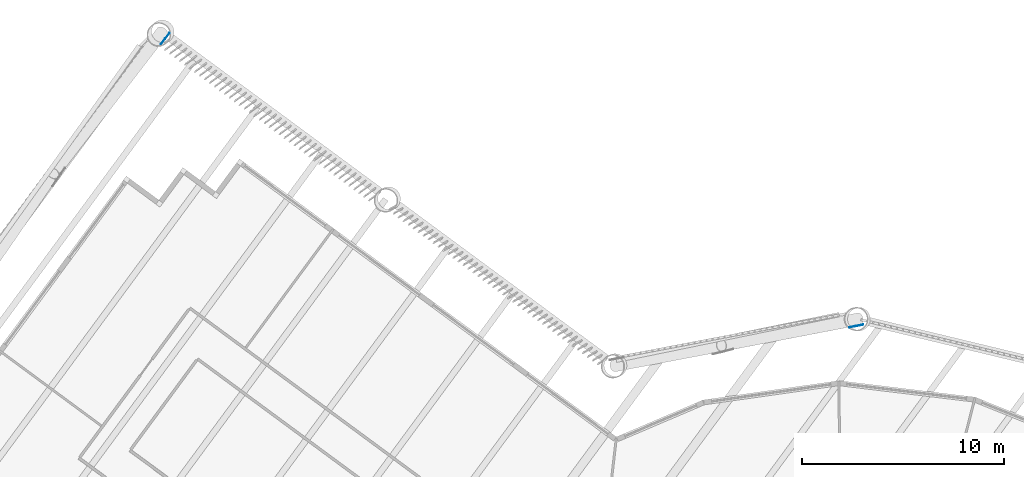
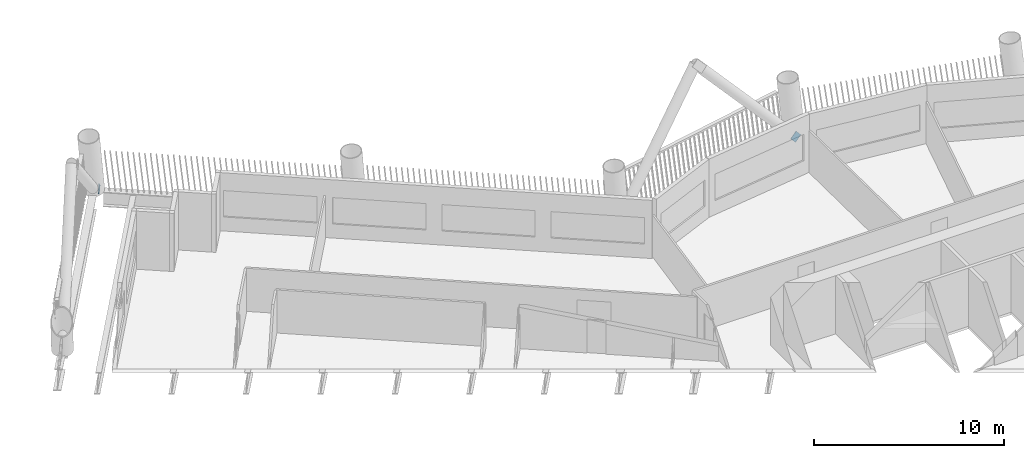
# One storey, part 13 of 23: 2 discrete accessories.
"""IFC4 building model written with IfcOpenShell, lengths in metres."""

from ifc_helpers import new_model, si_unit, direction, frame, origin, origin_2d, place, context, subcontext, project, spatial, rectangle, extrude, material, material_profile, profile_set, type_object, element, save


model = new_model("IFC4")

# Units and contexts
model_context = context("Model", 3, precision=1e-05, world=origin(), true_north=direction((0.0, 1.0)))
body_context = subcontext(model_context, "Body", "Model", "MODEL_VIEW")
ifc_project = project(units=[si_unit("LENGTHUNIT", "METRE"), si_unit("AREAUNIT", "SQUARE_METRE"), si_unit("VOLUMEUNIT", "CUBIC_METRE"), si_unit("PLANEANGLEUNIT", "RADIAN"), si_unit("MASSUNIT", "GRAM", prefix="KILO")], contexts=[model_context])

# Site, building, storey
site_placement = place(None, origin())
site = spatial("IfcSite", under=ifc_project, at=site_placement, CompositionType="ELEMENT")
building_placement = place(site_placement, origin())
building = spatial("IfcBuilding", under=site, at=building_placement, Name="Tarsis Ring Headquarters", CompositionType="ELEMENT")
storey_placement = place(building_placement, frame((0.0, 0.0, 124.0)))
storey = spatial("IfcBuildingStorey", under=building, at=storey_placement, Name="L28", CompositionType="ELEMENT", Elevation=124.0)

# Discrete accessories
ifc_material = material(Name="Structural steel S355", Category="steel")
ifc_material_profile = material_profile(ifc_material, rectangle(XDim=0.02490234375, YDim=0.5, at=origin_2d()), Name="PL 25x500")
ifc_profile_set = profile_set([ifc_material_profile], Name="Structural steel S355")
discrete_accessory_type = type_object("IfcDiscreteAccessoryType", Name="Gusset plate Exo brace 25", PredefinedType="BRACKET", material=ifc_profile_set)
for number, where, z_axis, x_axis, name in (
    (1, (0.755615234375, 28.728515625, 0.0), (-0.650498266972, -0.125020687946, 0.749147403554), (0.188738013281, -0.98202747535, 0.0), "Gusset plate GP5"),
    (2, (-33.46435546875, 43.051513671875, 0.0), (-0.457477050057, -0.59418310557, 0.661559661502), (0.792357674892, -0.610056812961, 0.0), "Gusset plate GP5"),
):
    element("IfcDiscreteAccessory", number, at=place(storey_placement, frame(where, z_axis=z_axis, x_axis=x_axis)), inside=storey, type_object=discrete_accessory_type, Name=name, PredefinedType="BRACKET", context=body_context, shape_type="SweptSolid", body=[
        extrude(rectangle(XDim=0.02490234375, YDim=0.5, at=origin_2d()), origin(), (0.0, 0.0, 1.0), 0.5),
    ])

save(model, "model.ifc")
